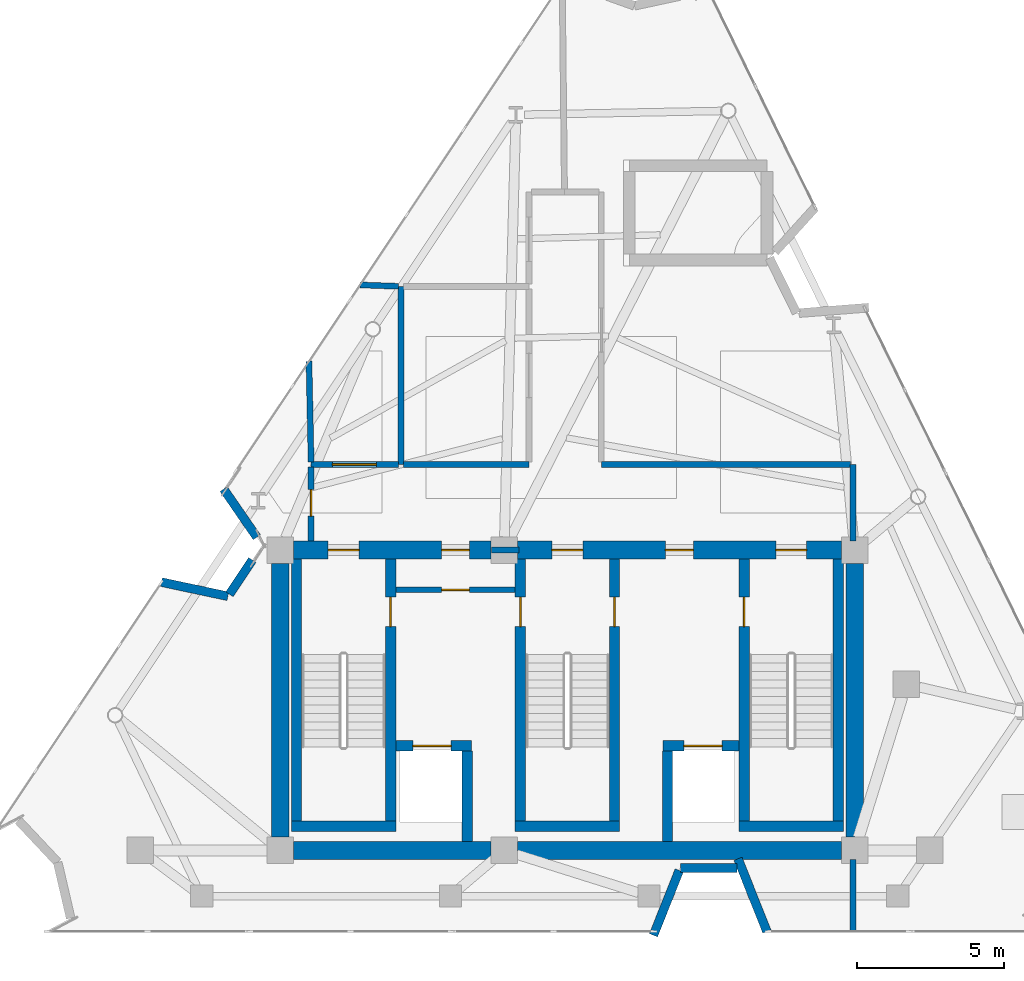
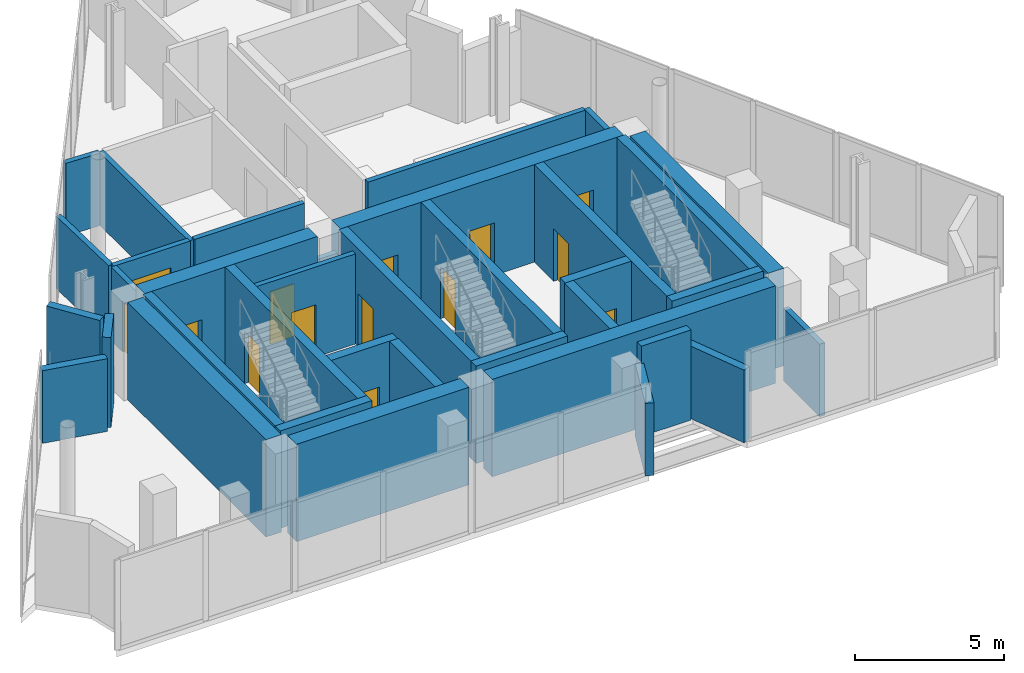
# One storey, part 6 of 9: 36 walls, 14 doors, 14 openings.
"""IFC4 building model written with IfcOpenShell, lengths in metres."""

import ifcopenshell
import ifcopenshell.guid

model = None  # the IFC model being written
_history = None  # IfcOwnerHistory: only IFC2X3 demands one
_inside = {}  # id of a spatial element -> (the spatial element, [elements in it])
_under = {}  # id of a project, library or spatial element -> (it, [spatial elements below it])
_declared = {}  # id of a project -> (the project, [libraries it declares])
_typed = {}  # id of a type object -> (the type object, [elements of that type])
_made_of = {}  # id of a material, layer set ... -> (it, [elements and type objects made of it])


def new_model(schema):
    """Start an empty IFC model of exactly this schema.

    Asked for "IFC4X3", IfcOpenShell would pick the latest addendum, in which some entities
    have other attributes; the version numbers below select the first issue.
    IFC2X3 requires an IfcOwnerHistory on every rooted entity: one is made here for all.
    """
    global model, _history
    if schema == "IFC4X3":
        model = ifcopenshell.file(schema_version=(4, 3, 0, 0))
    else:
        model = ifcopenshell.file(schema=schema)
    _inside.clear()
    _under.clear()
    _declared.clear()
    _typed.clear()
    _made_of.clear()
    _history = None
    if model.schema == "IFC2X3":
        org = make("IfcOrganization", Name="unknown")
        user = make(
            "IfcPersonAndOrganization",
            ThePerson=make("IfcPerson", FamilyName="unknown"),
            TheOrganization=org,
        )
        app = make(
            "IfcApplication",
            ApplicationDeveloper=org,
            Version="unknown",
            ApplicationFullName="unknown",
            ApplicationIdentifier="unknown",
        )
        _history = make(
            "IfcOwnerHistory",
            OwningUser=user,
            OwningApplication=app,
            ChangeAction="ADDED",
            CreationDate=0,
        )
    return model


def make(cls, **values):
    """One entity of the class cls with the attributes given. An attribute that is None is left unset."""
    return model.create_entity(
        cls, **{name: value for name, value in values.items() if value is not None}
    )


def rooted(cls, **values):
    """An entity with a GlobalId (a new one), such as an element, a storey or a relation."""
    return make(cls, GlobalId=ifcopenshell.guid.new(), OwnerHistory=_history, **values)


def si_unit(unit_type, name, prefix=None):
    """IfcSIUnit, for example si_unit("LENGTHUNIT", "METRE", prefix="MILLI")."""
    return make("IfcSIUnit", UnitType=unit_type, Prefix=prefix, Name=name)


def assignment(units):
    """IfcUnitAssignment: the units of a project."""
    return None if units is None else make("IfcUnitAssignment", Units=units)


def point(xyz):
    """IfcCartesianPoint."""
    return None if xyz is None else make("IfcCartesianPoint", Coordinates=xyz)


def direction(xyz):
    """IfcDirection."""
    return None if xyz is None else make("IfcDirection", DirectionRatios=xyz)


def frame(location, z_axis=None, x_axis=None):
    """IfcAxis2Placement3D, a coordinate frame: its origin and axes. An axis left out is left unset."""
    return make(
        "IfcAxis2Placement3D",
        Location=point(location),
        Axis=direction(z_axis),
        RefDirection=direction(x_axis),
    )


def frame_2d(location, x_axis=None):
    """IfcAxis2Placement2D, a coordinate frame in the plane: its origin and x axis."""
    return make(
        "IfcAxis2Placement2D", Location=point(location), RefDirection=direction(x_axis)
    )


def origin():
    """The frame at (0, 0, 0) with its axes left unset."""
    return frame((0.0, 0.0, 0.0))


def place(relative_to, where):
    """IfcLocalPlacement: puts the frame where relative to a parent placement (None: the world)."""
    return make(
        "IfcLocalPlacement", PlacementRelTo=relative_to, RelativePlacement=where
    )


def context(
    kind, dimensions, precision=None, world=None, true_north=None, identifier=None
):
    """IfcGeometricRepresentationContext, for example the 3D "Model" context."""
    return make(
        "IfcGeometricRepresentationContext",
        ContextIdentifier=identifier,
        ContextType=kind,
        CoordinateSpaceDimension=dimensions,
        Precision=precision,
        WorldCoordinateSystem=world,
        TrueNorth=true_north,
    )


def subcontext(parent, identifier, kind, view, scale=None):
    """IfcGeometricRepresentationSubContext, for example "Body" below "Model"."""
    return make(
        "IfcGeometricRepresentationSubContext",
        ContextIdentifier=identifier,
        ContextType=kind,
        ParentContext=parent,
        TargetScale=scale,
        TargetView=view,
    )


def project(units=None, contexts=None):
    """IfcProject with its units and contexts."""
    return rooted(
        "IfcProject",
        Name="project",
        RepresentationContexts=contexts,
        UnitsInContext=assignment(units),
    )


def spatial(cls, under=None, at=None, **own):
    """A site, building, storey or space (cls), placed at a placement, below another one or the project."""
    s = rooted(cls, ObjectPlacement=at, **own)
    if under is not None:
        _under.setdefault(under.id(), (under, []))[1].append(s)
    return s


def profile(cls, at=None, kind="AREA", **sizes):
    """A parametric profile (cls). Its sizes go by their IFC names, for example OverallWidth=200.0."""
    return make(cls, ProfileType=kind, Position=at, **sizes)


def rectangle(**sizes):
    """IfcRectangleProfileDef."""
    return profile("IfcRectangleProfileDef", **sizes)


def extrude(swept, where, along, depth):
    """IfcExtrudedAreaSolid: the profile swept, set in the frame where, extruded along a direction by depth."""
    return make(
        "IfcExtrudedAreaSolid",
        SweptArea=swept,
        Position=where,
        ExtrudedDirection=direction(along),
        Depth=depth,
    )


def shape(context_of_items, identifier, shape_type, items):
    """IfcShapeRepresentation: the items that make up one representation, for example the "Body"."""
    return make(
        "IfcShapeRepresentation",
        ContextOfItems=context_of_items,
        RepresentationIdentifier=identifier,
        RepresentationType=shape_type,
        Items=items,
    )


def material(Name=None, Category=None):
    """IfcMaterial."""
    return make("IfcMaterial", Name=Name, Category=Category)


def layer(
    of_material, thickness, ventilated=None, Name=None, Category=None, Priority=None
):
    """IfcMaterialLayer: one layer of a wall or slab, of a material (None: an air gap)."""
    return make(
        "IfcMaterialLayer",
        Material=of_material,
        LayerThickness=thickness,
        IsVentilated=ventilated,
        Name=Name,
        Category=Category,
        Priority=Priority,
    )


def layer_set(layers, Name=None):
    """IfcMaterialLayerSet."""
    return make("IfcMaterialLayerSet", MaterialLayers=layers, LayerSetName=Name)


def made_of(thing, what):
    """Note that an element or type object is made of a material, layer set ...; save() writes the relation."""
    if what is not None:
        _made_of.setdefault(what.id(), (what, []))[1].append(thing)
    return thing


def type_object(cls, material=None, **own):
    """A type object (cls), such as IfcWallType, which elements share."""
    return made_of(rooted(cls, **own), material)


def element(
    cls,
    number,
    at=None,
    inside=None,
    cuts=None,
    type_object=None,
    material=None,
    context=None,
    identifier="Body",
    shape_type=None,
    held_by="IfcProductDefinitionShape",
    body=None,
    shapes=None,
    **own,
):
    """One element of the class cls, such as IfcWall. Its Tag is "e" and its number.

    at: its placement. inside: the storey or other place that contains it. cuts: it is an
    opening in that element (IfcRelVoidsElement). A single representation is given by context,
    identifier, shape_type and body (its items); several are given by shapes. held_by: the class
    of the entity that holds the representations. save() writes the other relations.
    """
    e = rooted(cls, Tag="e%d" % number, ObjectPlacement=at, **own)
    if body is not None:
        shapes = [shape(context, identifier, shape_type, body)]
    if shapes is not None:
        e.Representation = make(held_by, Representations=shapes)
    if inside is not None:
        _inside.setdefault(inside.id(), (inside, []))[1].append(e)
    if cuts is not None:
        rooted(
            "IfcRelVoidsElement", RelatingBuildingElement=cuts, RelatedOpeningElement=e
        )
    if type_object is not None:
        _typed.setdefault(type_object.id(), (type_object, []))[1].append(e)
    return made_of(e, material)


def fill(opening, filler):
    """IfcRelFillsElement: the door or window that sits in an opening."""
    return rooted(
        "IfcRelFillsElement",
        RelatingOpeningElement=opening,
        RelatedBuildingElement=filler,
    )


def aggregate(whole, parts):
    """IfcRelAggregates: a whole, such as a stair, and the parts it consists of."""
    return rooted("IfcRelAggregates", RelatingObject=whole, RelatedObjects=parts)


def save(model, path):
    """Write the relations noted so far, then the file.

    IfcRelAggregates (storeys below a building ...), IfcRelContainedInSpatialStructure (elements
    in a storey), IfcRelDefinesByType, IfcRelAssociatesMaterial and IfcRelDeclares: one each for
    every whole, place, type object, material and project.
    """
    for whole, parts in _under.values():
        aggregate(whole, parts)
    for where, things in _inside.values():
        rooted(
            "IfcRelContainedInSpatialStructure",
            RelatedElements=things,
            RelatingStructure=where,
        )
    for kind, things in _typed.values():
        rooted("IfcRelDefinesByType", RelatedObjects=things, RelatingType=kind)
    for what, things in _made_of.values():
        rooted("IfcRelAssociatesMaterial", RelatedObjects=things, RelatingMaterial=what)
    for by, libraries in _declared.values():
        rooted("IfcRelDeclares", RelatingContext=by, RelatedDefinitions=libraries)
    model.write(path)


model = new_model("IFC4")

# Units and contexts
model_context = context("Model", 3, precision=1e-05, world=origin(), true_north=direction((0.0, 1.0)))
body_context = subcontext(model_context, "Body", "Model", "MODEL_VIEW")
ifc_project = project(units=[si_unit("LENGTHUNIT", "METRE"), si_unit("AREAUNIT", "SQUARE_METRE"), si_unit("VOLUMEUNIT", "CUBIC_METRE"), si_unit("PLANEANGLEUNIT", "RADIAN"), si_unit("MASSUNIT", "GRAM", prefix="KILO")], contexts=[model_context])

# Site, building, storey
site_placement = place(None, origin())
site = spatial("IfcSite", under=ifc_project, at=site_placement, CompositionType="ELEMENT")
building_placement = place(site_placement, origin())
building = spatial("IfcBuilding", under=site, at=building_placement, Name="Almagre Mirador Tower", CompositionType="ELEMENT")
storey_placement = place(building_placement, frame((0.0, 0.0, 306.5)))
storey = spatial("IfcBuildingStorey", under=building, at=storey_placement, Name="L79", CompositionType="ELEMENT", Elevation=306.5)

# Walls
ifc_material_1 = material(Name="Precast concrete C50/60", Category="concrete")
ifc_layer_1 = layer(ifc_material_1, 0.300048828125)
ifc_layer_set_1 = layer_set([ifc_layer_1], Name="Precast concrete C50/60")
wall_type_1 = type_object("IfcWallType", Name="WAL-EXT-300", PredefinedType="SOLIDWALL", material=ifc_layer_set_1)
wall_1_placement = place(storey_placement, frame((23.518310546875, 13.659912109375, 0.0), z_axis=(0.0, 0.0, 1.0), x_axis=(0.978066490773, -0.208292917849, 0.0)))
element("IfcWall", 1, at=wall_1_placement, inside=storey, type_object=wall_type_1, Name="L79 expressed almagre precast frame wall 01", PredefinedType="SOLIDWALL", context=body_context, shape_type="SweptSolid", body=[
    extrude(rectangle(XDim=2.306640625, YDim=0.300048828125, at=frame_2d((1.1533203125, 0.0))), origin(), (0.0, 0.0, 1.0), 2.98193359375),
])
wall_2_placement = place(storey_placement, frame((25.826416015625, 13.24609375, 0.0), z_axis=(0.0, 0.0, 1.0), x_axis=(0.55510321717, 0.831781472676, 0.0)))
element("IfcWall", 2, at=wall_2_placement, inside=storey, type_object=wall_type_1, Name="L79 expressed almagre precast frame wall 02", PredefinedType="SOLIDWALL", context=body_context, shape_type="SweptSolid", body=[
    extrude(rectangle(XDim=1.397705078125, YDim=0.300048828125, at=frame_2d((0.69873046875, 0.0))), origin(), (0.0, 0.0, 1.0), 3.699951171875),
])
wall_3_placement = place(storey_placement, frame((26.7548828125, 15.185791015625, 0.0), z_axis=(0.0, 0.0, 1.0), x_axis=(-0.567431230368, 0.82342079085, 0.0)))
element("IfcWall", 3, at=wall_3_placement, inside=storey, type_object=wall_type_1, Name="L79 expressed almagre precast frame wall 03", PredefinedType="SOLIDWALL", context=body_context, shape_type="SweptSolid", body=[
    extrude(rectangle(XDim=1.985595703125, YDim=0.300048828125, at=frame_2d((0.99267578125, 0.0))), origin(), (0.0, 0.0, 1.0), 2.98193359375),
])
wall_4_placement = place(storey_placement, frame((44.072021484375, 1.80029296875, 0.0), z_axis=(0.0, 0.0, 1.0), x_axis=(-0.369598296784, 0.9291916374, 0.0)))
element("IfcWall", 4, at=wall_4_placement, inside=storey, type_object=wall_type_1, Name="L79 expressed almagre precast frame wall 11", PredefinedType="SOLIDWALL", context=body_context, shape_type="SweptSolid", body=[
    extrude(rectangle(XDim=2.65478515625, YDim=0.300048828125, at=frame_2d((1.327392578125, 0.0))), origin(), (0.0, 0.0, 1.0), 2.98193359375),
])
wall_5_placement = place(storey_placement, frame((43.05517578125, 3.949951171875, 0.0), z_axis=(0.0, 0.0, 1.0), x_axis=(-1.0, 0.0, 0.0)))
element("IfcWall", 5, at=wall_5_placement, inside=storey, type_object=wall_type_1, Name="L79 expressed almagre precast frame wall 12", PredefinedType="SOLIDWALL", context=body_context, shape_type="SweptSolid", body=[
    extrude(rectangle(XDim=1.92138671875, YDim=0.300048828125, at=frame_2d((0.960693359375, 0.0))), origin(), (0.0, 0.0, 1.0), 3.699951171875),
])
wall_6_placement = place(storey_placement, frame((41.09619140625, 3.872314453125, 0.0), z_axis=(0.0, 0.0, 1.0), x_axis=(-0.369524949217, -0.929220809015, 0.0)))
element("IfcWall", 6, at=wall_6_placement, inside=storey, type_object=wall_type_1, Name="L79 expressed almagre precast frame wall 13", PredefinedType="SOLIDWALL", context=body_context, shape_type="SweptSolid", body=[
    extrude(rectangle(XDim=2.369873046875, YDim=0.300048828125, at=frame_2d((1.18505859375, 0.0))), origin(), (0.0, 0.0, 1.0), 2.98193359375),
])
ifc_material_2 = material(Name="Gypsum acoustic stud partition", Category="other")
ifc_layer_2 = layer(ifc_material_2, 0.199951171875)
ifc_layer_set_2 = layer_set([ifc_layer_2], Name="Gypsum acoustic stud partition")
wall_type_2 = type_object("IfcWallType", Name="WAL-PRT-200-EI60", PredefinedType="PARTITIONING", material=ifc_layer_set_2)
wall_7_placement = place(storey_placement, frame((34.719970703125, 14.75, 0.0), z_axis=(0.0, 0.0, 1.0), x_axis=(1.0, 0.0, 0.0)))
element("IfcWall", 7, at=wall_7_placement, inside=storey, type_object=wall_type_2, Name="L79 core north closure wall", PredefinedType="PARTITIONING", context=body_context, shape_type="SweptSolid", body=[
    extrude(rectangle(XDim=0.93505859375, YDim=0.199951171875, at=frame_2d((0.467529296875, 0.0))), origin(), (0.0, 0.0, 1.0), 2.885009765625),
])

# Wall, opening, door
wall_8_placement = place(storey_placement, frame((31.47998046875, 13.39990234375, 0.0), z_axis=(0.0, 0.0, 1.0), x_axis=(1.0, 0.0, 0.0)))
wall_8 = element("IfcWall", 8, at=wall_8_placement, inside=storey, type_object=wall_type_2, Name="L79 FFL-1 north enclosure wall", PredefinedType="PARTITIONING", context=body_context, shape_type="SweptSolid", body=[
    extrude(rectangle(XDim=4.0400390625, YDim=0.199951171875, at=frame_2d((2.02001953125, 0.0))), origin(), (0.0, 0.0, 1.0), 3.699951171875),
])
opening_1_placement = place(wall_8_placement, frame((1.544921875, 0.0, 0.0)))
opening_1 = element("IfcOpeningElement", 9, at=opening_1_placement, cuts=wall_8, Name="Opening ID-02", PredefinedType="OPENING", context=body_context, shape_type="SweptSolid", body=[
    extrude(rectangle(XDim=0.949951171875, YDim=2.14990234375, at=frame_2d((0.47509765625, 1.074951171875))), frame((0.0, 0.110098, 0.0), z_axis=(0.0, -1.0, 0.0), x_axis=(1.0, 0.0, 0.0)), (0.0, 0.0, 1.0), 0.219951),
])
ifc_material_3 = material(Name="Fire-rated walnut timber", Category="wood")
door_type_1 = type_object("IfcDoorType", Name="DOR-FD60-950X2150", OperationType="NOTDEFINED", PredefinedType="DOOR", material=ifc_material_3)
door_1_placement = place(opening_1_placement, origin())
door_1 = element("IfcDoor", 10, at=door_1_placement, inside=storey, type_object=door_type_1, Name="DR-2318 L79 FFL-1 north smoke door", OperationType="SINGLE_SWING_LEFT", OverallHeight=2.14990234375, OverallWidth=0.949951171875, PredefinedType="DOOR", context=body_context, shape_type="SweptSolid", body=[
    extrude(rectangle(XDim=0.949951171875, YDim=2.14990234375, at=frame_2d((0.47509765625, 1.074951171875))), frame((0.0, 0.02490234375, 0.0), z_axis=(0.0, -1.0, 0.0), x_axis=(1.0, 0.0, 0.0)), (0.0, 0.0, 1.0), 0.050048828125),
])
fill(opening_1, door_1)

# Walls
wall_9_placement = place(storey_placement, frame((31.64990234375, 17.64990234375, 0.0), z_axis=(0.0, 0.0, 1.0), x_axis=(0.0, 1.0, 0.0)))
element("IfcWall", 11, at=wall_9_placement, inside=storey, type_object=wall_type_2, Name="L79 interior partition 001", PredefinedType="PARTITIONING", context=body_context, shape_type="SweptSolid", body=[
    extrude(rectangle(XDim=6.050048828125, YDim=0.199951171875, at=frame_2d((3.02490234375, 0.0))), origin(), (0.0, 0.0, 1.0), 2.97705078125),
])
wall_10_placement = place(storey_placement, frame((31.565185546875, 23.703125, 0.0), z_axis=(0.0, 0.0, 1.0), x_axis=(-0.999334821277, 0.036467999436, 0.0)))
element("IfcWall", 12, at=wall_10_placement, inside=storey, type_object=wall_type_2, Name="L79 interior partition 002", PredefinedType="PARTITIONING", context=body_context, shape_type="SweptSolid", body=[
    extrude(rectangle(XDim=1.312255859375, YDim=0.199951171875, at=frame_2d((0.65625, 0.0))), origin(), (0.0, 0.0, 1.0), 2.97705078125),
])

# Wall, opening, door
wall_11_placement = place(storey_placement, frame((28.60009765625, 17.64990234375, 0.0), z_axis=(0.0, 0.0, 1.0), x_axis=(1.0, 0.0, 0.0)))
wall_11 = element("IfcWall", 13, at=wall_11_placement, inside=storey, type_object=wall_type_2, Name="L79 interior partition 003", PredefinedType="PARTITIONING", context=body_context, shape_type="SweptSolid", body=[
    extrude(rectangle(XDim=2.96484375, YDim=0.199951171875, at=frame_2d((1.482421875, 0.0))), origin(), (0.0, 0.0, 1.0), 3.034912109375),
])
opening_2_placement = place(wall_11_placement, frame((0.71728515625, 0.0, 0.0)))
opening_2 = element("IfcOpeningElement", 14, at=opening_2_placement, cuts=wall_11, Name="Opening ID-04", PredefinedType="OPENING", context=body_context, shape_type="SweptSolid", body=[
    extrude(rectangle(XDim=1.5, YDim=2.199951171875, at=frame_2d((0.75, 1.10009765625))), frame((0.0, 0.110098, 0.0), z_axis=(0.0, -1.0, 0.0), x_axis=(1.0, 0.0, 0.0)), (0.0, 0.0, 1.0), 0.219951),
])
ifc_material_4 = material(Name="Fire-rated hollow steel", Category="steel")
door_type_2 = type_object("IfcDoorType", Name="DOR-FD60-1500X2200", OperationType="DOUBLE_DOOR_SINGLE_SWING", PredefinedType="DOOR", material=ifc_material_4)
door_2_placement = place(opening_2_placement, origin())
door_2 = element("IfcDoor", 15, at=door_2_placement, inside=storey, type_object=door_type_2, Name="DR-2323 L79 interior door L79-KPLT1 to L79-KCOR", OperationType="DOUBLE_DOOR_SINGLE_SWING", OverallHeight=2.199951171875, OverallWidth=1.5, PredefinedType="DOOR", context=body_context, shape_type="SweptSolid", body=[
    extrude(rectangle(XDim=1.5, YDim=2.199951171875, at=frame_2d((0.75, 1.10009765625))), frame((0.0, 0.02490234375, 0.0), z_axis=(0.0, -1.0, 0.0), x_axis=(1.0, 0.0, 0.0)), (0.0, 0.0, 1.0), 0.050048828125),
])
fill(opening_2, door_2)

# Walls
wall_12_placement = place(storey_placement, frame((28.52490234375, 21.159912109375, 0.0), z_axis=(0.0, 0.0, 1.0), x_axis=(0.021380911082, -0.999771402192, 0.0)))
element("IfcWall", 16, at=wall_12_placement, inside=storey, type_object=wall_type_2, Name="L79 interior partition 004", PredefinedType="PARTITIONING", context=body_context, shape_type="SweptSolid", body=[
    extrude(rectangle(XDim=3.425537109375, YDim=0.199951171875, at=frame_2d((1.712890625, 0.0))), origin(), (0.0, 0.0, 1.0), 2.97705078125),
])
wall_13_placement = place(storey_placement, frame((31.735107421875, 17.64990234375, 0.0), z_axis=(0.0, 0.0, 1.0), x_axis=(1.0, 0.0, 0.0)))
element("IfcWall", 17, at=wall_13_placement, inside=storey, type_object=wall_type_2, Name="L79 interior partition 006", PredefinedType="PARTITIONING", context=body_context, shape_type="SweptSolid", body=[
    extrude(rectangle(XDim=4.264892578125, YDim=0.199951171875, at=frame_2d((2.13232421875, 0.0))), origin(), (0.0, 0.0, 1.0), 3.034912109375),
])
wall_14_placement = place(storey_placement, frame((47.0, 1.800048828125, 0.0), z_axis=(0.0, 0.0, 1.0), x_axis=(0.0, 1.0, 0.0)))
element("IfcWall", 18, at=wall_14_placement, inside=storey, type_object=wall_type_2, Name="L79 interior partition 012", PredefinedType="PARTITIONING", context=body_context, shape_type="SweptSolid", body=[
    extrude(rectangle(XDim=2.449951171875, YDim=0.199951171875, at=frame_2d((1.22509765625, 0.0))), origin(), (0.0, 0.0, 1.0), 2.97705078125),
])

# Wall, opening, door
wall_15_placement = place(storey_placement, frame((28.60009765625, 17.56494140625, 0.0), z_axis=(0.0, 0.0, 1.0), x_axis=(0.0, -1.0, 0.0)))
wall_15 = element("IfcWall", 19, at=wall_15_placement, inside=storey, type_object=wall_type_2, Name="L79 interior partition 013", PredefinedType="PARTITIONING", context=body_context, shape_type="SweptSolid", body=[
    extrude(rectangle(XDim=2.514892578125, YDim=0.199951171875, at=frame_2d((1.25732421875, 0.0))), origin(), (0.0, 0.0, 1.0), 3.034912109375),
])
opening_3_placement = place(wall_15_placement, frame((0.764892578125, 0.0, 0.0)))
opening_3 = element("IfcOpeningElement", 20, at=opening_3_placement, cuts=wall_15, Name="Opening ID-03", PredefinedType="OPENING", context=body_context, shape_type="SweptSolid", body=[
    extrude(rectangle(XDim=0.89990234375, YDim=2.10009765625, at=frame_2d((0.449951171875, 1.050048828125))), frame((0.0, 0.110098, 0.0), z_axis=(0.0, -1.0, 0.0), x_axis=(1.0, 0.0, 0.0)), (0.0, 0.0, 1.0), 0.219951),
])
ifc_material_5 = material(Name="Fire-rated hollow steel", Category="steel")
door_type_3 = type_object("IfcDoorType", Name="DOR-FD60-900X2100", OperationType="NOTDEFINED", PredefinedType="DOOR", material=ifc_material_5)
door_3_placement = place(opening_3_placement, origin())
door_3 = element("IfcDoor", 21, at=door_3_placement, inside=storey, type_object=door_type_3, Name="DR-2325 L79 interior door L79-KCOR to L79-KPLT4", OperationType="SINGLE_SWING_RIGHT", OverallHeight=2.10009765625, OverallWidth=0.89990234375, PredefinedType="DOOR", context=body_context, shape_type="SweptSolid", body=[
    extrude(rectangle(XDim=0.89990234375, YDim=2.10009765625, at=frame_2d((0.449951171875, 1.050048828125))), frame((0.0, 0.02490234375, 0.0), z_axis=(0.0, -1.0, 0.0), x_axis=(1.0, 0.0, 0.0)), (0.0, 0.0, 1.0), 0.050048828125),
])
fill(opening_3, door_3)

# Walls
wall_16_placement = place(storey_placement, frame((47.0, 15.050048828125, 0.0), z_axis=(0.0, 0.0, 1.0), x_axis=(0.0, 1.0, 0.0)))
element("IfcWall", 22, at=wall_16_placement, inside=storey, type_object=wall_type_2, Name="L79 interior partition 014", PredefinedType="PARTITIONING", context=body_context, shape_type="SweptSolid", body=[
    extrude(rectangle(XDim=2.599853515625, YDim=0.199951171875, at=frame_2d((1.2998046875, 0.0))), origin(), (0.0, 0.0, 1.0), 3.034912109375),
])
wall_17_placement = place(storey_placement, frame((46.9150390625, 17.64990234375, 0.0), z_axis=(0.0, 0.0, 1.0), x_axis=(-1.0, 0.0, 0.0)))
element("IfcWall", 23, at=wall_17_placement, inside=storey, type_object=wall_type_2, Name="L79 interior partition 015", PredefinedType="PARTITIONING", context=body_context, shape_type="SweptSolid", body=[
    extrude(rectangle(XDim=8.465087890625, YDim=0.199951171875, at=frame_2d((4.232421875, 0.0))), origin(), (0.0, 0.0, 1.0), 3.034912109375),
])
ifc_material_6 = material(Name="Concrete C60/75", Category="concrete")
ifc_layer_3 = layer(ifc_material_6, 0.35009765625)
ifc_layer_set_3 = layer_set([ifc_layer_3], Name="Concrete C60/75")
wall_type_3 = type_object("IfcWallType", Name="WAL-SHF-350", PredefinedType="SOLIDWALL", material=ifc_layer_set_3)
wall_18_placement = place(storey_placement, frame((28.10009765625, 5.199951171875, 0.0), z_axis=(0.0, 0.0, 1.0), x_axis=(0.0, 1.0, 0.0)))
element("IfcWall", 24, at=wall_18_placement, inside=storey, type_object=wall_type_3, Name="L79 shaft wall ST1-W", PredefinedType="SOLIDWALL", context=body_context, shape_type="SweptSolid", body=[
    extrude(rectangle(XDim=9.25, YDim=0.35009765625, at=frame_2d((4.625, 0.0))), origin(), (0.0, 0.0, 1.0), 4.0),
])

# Wall, opening, door
wall_19_placement = place(storey_placement, frame((31.300048828125, 5.199951171875, 0.0), z_axis=(0.0, 0.0, 1.0), x_axis=(0.0, 1.0, 0.0)))
wall_19 = element("IfcWall", 25, at=wall_19_placement, inside=storey, type_object=wall_type_3, Name="L79 shaft wall ST1-E", PredefinedType="SOLIDWALL", context=body_context, shape_type="SweptSolid", body=[
    extrude(rectangle(XDim=9.25, YDim=0.35009765625, at=frame_2d((4.625, 0.0))), origin(), (0.0, 0.0, 1.0), 4.0),
])
opening_4_placement = place(wall_19_placement, frame((6.949951171875, 0.0, 0.0)))
opening_4 = element("IfcOpeningElement", 26, at=opening_4_placement, cuts=wall_19, Name="Opening FD-01", PredefinedType="OPENING", context=body_context, shape_type="SweptSolid", body=[
    extrude(rectangle(XDim=1.0, YDim=2.14990234375, at=frame_2d((0.5, 1.074951171875))), frame((0.0, 0.185049, 0.0), z_axis=(0.0, -1.0, 0.0), x_axis=(1.0, 0.0, 0.0)), (0.0, 0.0, 1.0), 0.370098),
])
ifc_material_7 = material(Name="Fire-rated hollow steel", Category="steel")
door_type_4 = type_object("IfcDoorType", Name="DOR-FFL-1000X2150", OperationType="NOTDEFINED", PredefinedType="DOOR", material=ifc_material_7)
door_4_placement = place(opening_4_placement, origin())
door_4 = element("IfcDoor", 27, at=door_4_placement, inside=storey, type_object=door_type_4, Name="DR-2319 L79 FFL1-ST1 smokeproof door", OperationType="SINGLE_SWING_LEFT", OverallHeight=2.14990234375, OverallWidth=1.0, PredefinedType="DOOR", context=body_context, shape_type="SweptSolid", body=[
    extrude(rectangle(XDim=1.0, YDim=2.14990234375, at=frame_2d((0.5, 1.074951171875))), frame((0.0, 0.02490234375, 0.0), z_axis=(0.0, -1.0, 0.0), x_axis=(1.0, 0.0, 0.0)), (0.0, 0.0, 1.0), 0.050048828125),
])
fill(opening_4, door_4)

# Wall
wall_20_placement = place(storey_placement, frame((27.925048828125, 5.375, 0.0), z_axis=(0.0, 0.0, 1.0), x_axis=(1.0, 0.0, 0.0)))
element("IfcWall", 28, at=wall_20_placement, inside=storey, type_object=wall_type_3, Name="L79 shaft wall ST1-S", PredefinedType="SOLIDWALL", context=body_context, shape_type="SweptSolid", body=[
    extrude(rectangle(XDim=3.550048828125, YDim=0.35009765625, at=frame_2d((1.77490234375, 0.0))), origin(), (0.0, 0.0, 1.0), 4.0),
])

# Wall, opening, door
wall_21_placement = place(storey_placement, frame((35.699951171875, 5.199951171875, 0.0), z_axis=(0.0, 0.0, 1.0), x_axis=(0.0, 1.0, 0.0)))
wall_21 = element("IfcWall", 29, at=wall_21_placement, inside=storey, type_object=wall_type_3, Name="L79 shaft wall ST2-W", PredefinedType="SOLIDWALL", context=body_context, shape_type="SweptSolid", body=[
    extrude(rectangle(XDim=9.25, YDim=0.35009765625, at=frame_2d((4.625, 0.0))), origin(), (0.0, 0.0, 1.0), 4.0),
])
opening_5_placement = place(wall_21_placement, frame((6.949951171875, 0.0, 0.0)))
opening_5 = element("IfcOpeningElement", 30, at=opening_5_placement, cuts=wall_21, Name="Opening FD-01", PredefinedType="OPENING", context=body_context, shape_type="SweptSolid", body=[
    extrude(rectangle(XDim=1.0, YDim=2.14990234375, at=frame_2d((0.5, 1.074951171875))), frame((0.0, 0.185049, 0.0), z_axis=(0.0, -1.0, 0.0), x_axis=(1.0, 0.0, 0.0)), (0.0, 0.0, 1.0), 0.370098),
])
door_5_placement = place(opening_5_placement, origin())
door_5 = element("IfcDoor", 31, at=door_5_placement, inside=storey, type_object=door_type_4, Name="DR-2320 L79 FFL1-ST2 smokeproof door", OperationType="SINGLE_SWING_RIGHT", OverallHeight=2.14990234375, OverallWidth=1.0, PredefinedType="DOOR", context=body_context, shape_type="SweptSolid", body=[
    extrude(rectangle(XDim=1.0, YDim=2.14990234375, at=frame_2d((0.5, 1.074951171875))), frame((0.0, 0.02490234375, 0.0), z_axis=(0.0, -1.0, 0.0), x_axis=(1.0, 0.0, 0.0)), (0.0, 0.0, 1.0), 0.050048828125),
])
fill(opening_5, door_5)

wall_22_placement = place(storey_placement, frame((38.89990234375, 5.199951171875, 0.0), z_axis=(0.0, 0.0, 1.0), x_axis=(0.0, 1.0, 0.0)))
wall_22 = element("IfcWall", 32, at=wall_22_placement, inside=storey, type_object=wall_type_3, Name="L79 shaft wall ST2-E", PredefinedType="SOLIDWALL", context=body_context, shape_type="SweptSolid", body=[
    extrude(rectangle(XDim=9.25, YDim=0.35009765625, at=frame_2d((4.625, 0.0))), origin(), (0.0, 0.0, 1.0), 4.0),
])
opening_6_placement = place(wall_22_placement, frame((6.949951171875, 0.0, 0.0)))
opening_6 = element("IfcOpeningElement", 33, at=opening_6_placement, cuts=wall_22, Name="Opening FD-01", PredefinedType="OPENING", context=body_context, shape_type="SweptSolid", body=[
    extrude(rectangle(XDim=1.0, YDim=2.14990234375, at=frame_2d((0.5, 1.074951171875))), frame((0.0, 0.185049, 0.0), z_axis=(0.0, -1.0, 0.0), x_axis=(1.0, 0.0, 0.0)), (0.0, 0.0, 1.0), 0.370098),
])
door_6_placement = place(opening_6_placement, origin())
door_6 = element("IfcDoor", 34, at=door_6_placement, inside=storey, type_object=door_type_4, Name="DR-2321 L79 FFL2-ST2 smokeproof door", OperationType="SINGLE_SWING_LEFT", OverallHeight=2.14990234375, OverallWidth=1.0, PredefinedType="DOOR", context=body_context, shape_type="SweptSolid", body=[
    extrude(rectangle(XDim=1.0, YDim=2.14990234375, at=frame_2d((0.5, 1.074951171875))), frame((0.0, 0.02490234375, 0.0), z_axis=(0.0, -1.0, 0.0), x_axis=(1.0, 0.0, 0.0)), (0.0, 0.0, 1.0), 0.050048828125),
])
fill(opening_6, door_6)

# Wall
wall_23_placement = place(storey_placement, frame((35.52490234375, 5.375, 0.0), z_axis=(0.0, 0.0, 1.0), x_axis=(1.0, 0.0, 0.0)))
element("IfcWall", 35, at=wall_23_placement, inside=storey, type_object=wall_type_3, Name="L79 shaft wall ST2-S", PredefinedType="SOLIDWALL", context=body_context, shape_type="SweptSolid", body=[
    extrude(rectangle(XDim=3.550048828125, YDim=0.35009765625, at=frame_2d((1.77490234375, 0.0))), origin(), (0.0, 0.0, 1.0), 4.0),
])

# Wall, opening, door
wall_24_placement = place(storey_placement, frame((43.300048828125, 5.199951171875, 0.0), z_axis=(0.0, 0.0, 1.0), x_axis=(0.0, 1.0, 0.0)))
wall_24 = element("IfcWall", 36, at=wall_24_placement, inside=storey, type_object=wall_type_3, Name="L79 shaft wall ST3-W", PredefinedType="SOLIDWALL", context=body_context, shape_type="SweptSolid", body=[
    extrude(rectangle(XDim=9.25, YDim=0.35009765625, at=frame_2d((4.625, 0.0))), origin(), (0.0, 0.0, 1.0), 4.0),
])
opening_7_placement = place(wall_24_placement, frame((6.949951171875, 0.0, 0.0)))
opening_7 = element("IfcOpeningElement", 37, at=opening_7_placement, cuts=wall_24, Name="Opening FD-01", PredefinedType="OPENING", context=body_context, shape_type="SweptSolid", body=[
    extrude(rectangle(XDim=1.0, YDim=2.14990234375, at=frame_2d((0.5, 1.074951171875))), frame((0.0, 0.185049, 0.0), z_axis=(0.0, -1.0, 0.0), x_axis=(1.0, 0.0, 0.0)), (0.0, 0.0, 1.0), 0.370098),
])
door_7_placement = place(opening_7_placement, origin())
door_7 = element("IfcDoor", 38, at=door_7_placement, inside=storey, type_object=door_type_4, Name="DR-2322 L79 FFL2-ST3 smokeproof door", OperationType="SINGLE_SWING_RIGHT", OverallHeight=2.14990234375, OverallWidth=1.0, PredefinedType="DOOR", context=body_context, shape_type="SweptSolid", body=[
    extrude(rectangle(XDim=1.0, YDim=2.14990234375, at=frame_2d((0.5, 1.074951171875))), frame((0.0, 0.02490234375, 0.0), z_axis=(0.0, -1.0, 0.0), x_axis=(1.0, 0.0, 0.0)), (0.0, 0.0, 1.0), 0.050048828125),
])
fill(opening_7, door_7)

# Walls
wall_25_placement = place(storey_placement, frame((46.5, 5.199951171875, 0.0), z_axis=(0.0, 0.0, 1.0), x_axis=(0.0, 1.0, 0.0)))
element("IfcWall", 39, at=wall_25_placement, inside=storey, type_object=wall_type_3, Name="L79 shaft wall ST3-E", PredefinedType="SOLIDWALL", context=body_context, shape_type="SweptSolid", body=[
    extrude(rectangle(XDim=9.25, YDim=0.35009765625, at=frame_2d((4.625, 0.0))), origin(), (0.0, 0.0, 1.0), 4.0),
])
wall_26_placement = place(storey_placement, frame((43.125, 5.375, 0.0), z_axis=(0.0, 0.0, 1.0), x_axis=(1.0, 0.0, 0.0)))
element("IfcWall", 40, at=wall_26_placement, inside=storey, type_object=wall_type_3, Name="L79 shaft wall ST3-S", PredefinedType="SOLIDWALL", context=body_context, shape_type="SweptSolid", body=[
    extrude(rectangle(XDim=3.550048828125, YDim=0.35009765625, at=frame_2d((1.77490234375, 0.0))), origin(), (0.0, 0.0, 1.0), 4.0),
])

# Wall, opening, door
wall_27_placement = place(storey_placement, frame((31.47509765625, 8.10009765625, 0.0), z_axis=(0.0, 0.0, 1.0), x_axis=(1.0, 0.0, 0.0)))
wall_27 = element("IfcWall", 41, at=wall_27_placement, inside=storey, type_object=wall_type_3, Name="L79 shaft wall FSAE1-N", PredefinedType="SOLIDWALL", context=body_context, shape_type="SweptSolid", body=[
    extrude(rectangle(XDim=2.574951171875, YDim=0.35009765625, at=frame_2d((1.28759765625, 0.0))), origin(), (0.0, 0.0, 1.0), 4.0),
])
opening_8_placement = place(wall_27_placement, frame((0.574951171875, 0.0, 0.0)))
opening_8 = element("IfcOpeningElement", 42, at=opening_8_placement, cuts=wall_27, Name="Opening LD-03", PredefinedType="OPENING", context=body_context, shape_type="SweptSolid", body=[
    extrude(rectangle(XDim=1.300048828125, YDim=2.25, at=frame_2d((0.64990234375, 1.125))), frame((0.0, 0.185049, 0.0), z_axis=(0.0, -1.0, 0.0), x_axis=(1.0, 0.0, 0.0)), (0.0, 0.0, 1.0), 0.370098),
])
ifc_material_8 = material(Name="Hollow stainless steel", Category="steel")
door_type_5 = type_object("IfcDoorType", Name="DOR-LD-1300X2250", OperationType="DOUBLE_DOOR_SLIDING", PredefinedType="DOOR", material=ifc_material_8)
door_8_placement = place(opening_8_placement, origin())
door_8 = element("IfcDoor", 43, at=door_8_placement, inside=storey, type_object=door_type_5, Name="DR-2328 L79 FSAE-1 lift landing door", OperationType="DOUBLE_DOOR_SLIDING", OverallHeight=2.25, OverallWidth=1.300048828125, PredefinedType="DOOR", context=body_context, shape_type="SweptSolid", body=[
    extrude(rectangle(XDim=1.300048828125, YDim=2.25, at=frame_2d((0.64990234375, 1.125))), frame((0.0, 0.02490234375, 0.0), z_axis=(0.0, -1.0, 0.0), x_axis=(1.0, 0.0, 0.0)), (0.0, 0.0, 1.0), 0.050048828125),
])
fill(opening_8, door_8)

wall_28_placement = place(storey_placement, frame((40.550048828125, 8.10009765625, 0.0), z_axis=(0.0, 0.0, 1.0), x_axis=(1.0, 0.0, 0.0)))
wall_28 = element("IfcWall", 44, at=wall_28_placement, inside=storey, type_object=wall_type_3, Name="L79 shaft wall FSAE2-N", PredefinedType="SOLIDWALL", context=body_context, shape_type="SweptSolid", body=[
    extrude(rectangle(XDim=2.574951171875, YDim=0.35009765625, at=frame_2d((1.28759765625, 0.0))), origin(), (0.0, 0.0, 1.0), 4.0),
])
opening_9_placement = place(wall_28_placement, frame((0.699951171875, 0.0, 0.0)))
opening_9 = element("IfcOpeningElement", 45, at=opening_9_placement, cuts=wall_28, Name="Opening LD-03", PredefinedType="OPENING", context=body_context, shape_type="SweptSolid", body=[
    extrude(rectangle(XDim=1.300048828125, YDim=2.25, at=frame_2d((0.64990234375, 1.125))), frame((0.0, 0.185049, 0.0), z_axis=(0.0, -1.0, 0.0), x_axis=(1.0, 0.0, 0.0)), (0.0, 0.0, 1.0), 0.370098),
])
door_9_placement = place(opening_9_placement, origin())
door_9 = element("IfcDoor", 46, at=door_9_placement, inside=storey, type_object=door_type_5, Name="DR-2329 L79 FSAE-2 lift landing door", OperationType="DOUBLE_DOOR_SLIDING", OverallHeight=2.25, OverallWidth=1.300048828125, PredefinedType="DOOR", context=body_context, shape_type="SweptSolid", body=[
    extrude(rectangle(XDim=1.300048828125, YDim=2.25, at=frame_2d((0.64990234375, 1.125))), frame((0.0, 0.02490234375, 0.0), z_axis=(0.0, -1.0, 0.0), x_axis=(1.0, 0.0, 0.0)), (0.0, 0.0, 1.0), 0.050048828125),
])
fill(opening_9, door_9)

# Walls
for number, where, z_axis, x_axis, name in (
    (47, (33.89990234375, 4.85009765625, 0.0), (0.0, 0.0, 1.0), (0.0, 1.0, 0.0), "L79 shaft wall FSAE1-E"),
    (48, (40.699951171875, 4.85009765625, 0.0), (0.0, 0.0, 1.0), (0.0, 1.0, 0.0), "L79 shaft wall FSAE2-W"),
):
    element("IfcWall", number, at=place(storey_placement, frame(where, z_axis=z_axis, x_axis=x_axis)), inside=storey, type_object=wall_type_3, Name=name, PredefinedType="SOLIDWALL", context=body_context, shape_type="SweptSolid", body=[
        extrude(rectangle(XDim=3.074951171875, YDim=0.35009765625, at=frame_2d((1.53759765625, 0.0))), origin(), (0.0, 0.0, 1.0), 4.0),
    ])
ifc_material_9 = material(Name="Concrete C60/75", Category="concrete")
ifc_layer_4 = layer(ifc_material_9, 0.60009765625)
ifc_layer_set_4 = layer_set([ifc_layer_4], Name="Concrete C60/75")
wall_type_4 = type_object("IfcWallType", Name="WAL-SHR-600", PredefinedType="SHEAR", material=ifc_layer_set_4)
wall_29_placement = place(storey_placement, frame((28.0, 4.550048828125, 0.0), z_axis=(0.0, 0.0, 1.0), x_axis=(1.0, 0.0, 0.0)))
element("IfcWall", 49, at=wall_29_placement, inside=storey, type_object=wall_type_4, Name="L79 core shear wall S1", PredefinedType="SHEAR", context=body_context, shape_type="SweptSolid", body=[
    extrude(rectangle(XDim=6.699951171875, YDim=0.60009765625, at=frame_2d((3.35009765625, 0.0))), origin(), (0.0, 0.0, 1.0), 4.0),
])
wall_30_placement = place(storey_placement, frame((35.60009765625, 4.550048828125, 0.0), z_axis=(0.0, 0.0, 1.0), x_axis=(1.0, 0.0, 0.0)))
element("IfcWall", 50, at=wall_30_placement, inside=storey, type_object=wall_type_4, Name="L79 core shear wall S2", PredefinedType="SHEAR", context=body_context, shape_type="SweptSolid", body=[
    extrude(rectangle(XDim=11.0, YDim=0.60009765625, at=frame_2d((5.5, 0.0))), origin(), (0.0, 0.0, 1.0), 4.0),
])

# Wall, openings, doors
wall_31_placement = place(storey_placement, frame((28.0, 14.75, 0.0), z_axis=(0.0, 0.0, 1.0), x_axis=(1.0, 0.0, 0.0)))
wall_31 = element("IfcWall", 51, at=wall_31_placement, inside=storey, type_object=wall_type_4, Name="L79 core shear wall N1", PredefinedType="SHEAR", context=body_context, shape_type="SweptSolid", body=[
    extrude(rectangle(XDim=6.699951171875, YDim=0.60009765625, at=frame_2d((3.35009765625, 0.0))), origin(), (0.0, 0.0, 1.0), 4.0),
])
opening_10_placement = place(wall_31_placement, frame((1.175048828125, 0.0, 0.0)))
opening_10 = element("IfcOpeningElement", 52, at=opening_10_placement, cuts=wall_31, Name="Opening SD-01", PredefinedType="OPENING", context=body_context, shape_type="SweptSolid", body=[
    extrude(rectangle(XDim=1.050048828125, YDim=2.14990234375, at=frame_2d((0.52490234375, 1.074951171875))), frame((0.0, 0.310049, 0.0), z_axis=(0.0, -1.0, 0.0), x_axis=(1.0, 0.0, 0.0)), (0.0, 0.0, 1.0), 0.620098),
])
opening_11_placement = place(wall_31_placement, frame((5.02490234375, 0.0, 0.0)))
opening_11 = element("IfcOpeningElement", 53, at=opening_11_placement, cuts=wall_31, Name="Opening FD-02", PredefinedType="OPENING", context=body_context, shape_type="SweptSolid", body=[
    extrude(rectangle(XDim=0.949951171875, YDim=2.14990234375, at=frame_2d((0.47509765625, 1.074951171875))), frame((0.0, 0.310049, 0.0), z_axis=(0.0, -1.0, 0.0), x_axis=(1.0, 0.0, 0.0)), (0.0, 0.0, 1.0), 0.620098),
])
ifc_material_10 = material(Name="Fire-rated hollow steel", Category="steel")
door_type_6 = type_object("IfcDoorType", Name="DOR-FD90-950X2150", OperationType="NOTDEFINED", PredefinedType="DOOR", material=ifc_material_10)
door_10_placement = place(opening_11_placement, origin())
door_10 = element("IfcDoor", 54, at=door_10_placement, inside=storey, type_object=door_type_6, Name="DR-2317 L79 core equipment room north door", OperationType="SINGLE_SWING_LEFT", OverallHeight=2.14990234375, OverallWidth=0.949951171875, PredefinedType="DOOR", context=body_context, shape_type="SweptSolid", body=[
    extrude(rectangle(XDim=0.949951171875, YDim=2.14990234375, at=frame_2d((0.47509765625, 1.074951171875))), frame((0.0, 0.02490234375, 0.0), z_axis=(0.0, -1.0, 0.0), x_axis=(1.0, 0.0, 0.0)), (0.0, 0.0, 1.0), 0.050048828125),
])
fill(opening_11, door_10)
ifc_material_11 = material(Name="Fire-rated hollow steel", Category="steel")
door_type_7 = type_object("IfcDoorType", Name="DOR-ST-1050X2150", OperationType="NOTDEFINED", PredefinedType="DOOR", material=ifc_material_11)
door_11_placement = place(opening_10_placement, origin())
door_11 = element("IfcDoor", 55, at=door_11_placement, inside=storey, type_object=door_type_7, Name="DR-2330 L79 protected exit stair ST-1 door", OperationType="SINGLE_SWING_RIGHT", OverallHeight=2.14990234375, OverallWidth=1.050048828125, PredefinedType="DOOR", context=body_context, shape_type="SweptSolid", body=[
    extrude(rectangle(XDim=1.050048828125, YDim=2.14990234375, at=frame_2d((0.52490234375, 1.074951171875))), frame((0.0, 0.02490234375, 0.0), z_axis=(0.0, -1.0, 0.0), x_axis=(1.0, 0.0, 0.0)), (0.0, 0.0, 1.0), 0.050048828125),
])
fill(opening_10, door_11)

wall_32_placement = place(storey_placement, frame((35.60009765625, 14.75, 0.0), z_axis=(0.0, 0.0, 1.0), x_axis=(1.0, 0.0, 0.0)))
wall_32 = element("IfcWall", 56, at=wall_32_placement, inside=storey, type_object=wall_type_4, Name="L79 core shear wall N2", PredefinedType="SHEAR", context=body_context, shape_type="SweptSolid", body=[
    extrude(rectangle(XDim=11.0, YDim=0.60009765625, at=frame_2d((5.5, 0.0))), origin(), (0.0, 0.0, 1.0), 4.0),
])
opening_12_placement = place(wall_32_placement, frame((1.175048828125, 0.0, 0.0)))
opening_12 = element("IfcOpeningElement", 57, at=opening_12_placement, cuts=wall_32, Name="Opening SD-01", PredefinedType="OPENING", context=body_context, shape_type="SweptSolid", body=[
    extrude(rectangle(XDim=1.050048828125, YDim=2.14990234375, at=frame_2d((0.52490234375, 1.074951171875))), frame((0.0, 0.310049, 0.0), z_axis=(0.0, -1.0, 0.0), x_axis=(1.0, 0.0, 0.0)), (0.0, 0.0, 1.0), 0.620098),
])
opening_13_placement = place(wall_32_placement, frame((8.77490234375, 0.0, 0.0)))
opening_13 = element("IfcOpeningElement", 58, at=opening_13_placement, cuts=wall_32, Name="Opening SD-01", PredefinedType="OPENING", context=body_context, shape_type="SweptSolid", body=[
    extrude(rectangle(XDim=1.050048828125, YDim=2.14990234375, at=frame_2d((0.52490234375, 1.074951171875))), frame((0.0, 0.310049, 0.0), z_axis=(0.0, -1.0, 0.0), x_axis=(1.0, 0.0, 0.0)), (0.0, 0.0, 1.0), 0.620098),
])
opening_14_placement = place(wall_32_placement, frame((5.02490234375, 0.0, 0.0)))
opening_14 = element("IfcOpeningElement", 59, at=opening_14_placement, cuts=wall_32, Name="Opening FD-02", PredefinedType="OPENING", context=body_context, shape_type="SweptSolid", body=[
    extrude(rectangle(XDim=0.949951171875, YDim=2.14990234375, at=frame_2d((0.47509765625, 1.074951171875))), frame((0.0, 0.310049, 0.0), z_axis=(0.0, -1.0, 0.0), x_axis=(1.0, 0.0, 0.0)), (0.0, 0.0, 1.0), 0.620098),
])
door_12_placement = place(opening_14_placement, origin())
door_12 = element("IfcDoor", 60, at=door_12_placement, inside=storey, type_object=door_type_6, Name="DR-2316 L79 high-zone core room north door", OperationType="SINGLE_SWING_LEFT", OverallHeight=2.14990234375, OverallWidth=0.949951171875, PredefinedType="DOOR", context=body_context, shape_type="SweptSolid", body=[
    extrude(rectangle(XDim=0.949951171875, YDim=2.14990234375, at=frame_2d((0.47509765625, 1.074951171875))), frame((0.0, 0.02490234375, 0.0), z_axis=(0.0, -1.0, 0.0), x_axis=(1.0, 0.0, 0.0)), (0.0, 0.0, 1.0), 0.050048828125),
])
fill(opening_14, door_12)
door_13_placement = place(opening_12_placement, origin())
door_13 = element("IfcDoor", 61, at=door_13_placement, inside=storey, type_object=door_type_7, Name="DR-2331 L79 protected exit stair ST-2 door", OperationType="SINGLE_SWING_LEFT", OverallHeight=2.14990234375, OverallWidth=1.050048828125, PredefinedType="DOOR", context=body_context, shape_type="SweptSolid", body=[
    extrude(rectangle(XDim=1.050048828125, YDim=2.14990234375, at=frame_2d((0.52490234375, 1.074951171875))), frame((0.0, 0.02490234375, 0.0), z_axis=(0.0, -1.0, 0.0), x_axis=(1.0, 0.0, 0.0)), (0.0, 0.0, 1.0), 0.050048828125),
])
fill(opening_12, door_13)
door_14_placement = place(opening_13_placement, origin())
door_14 = element("IfcDoor", 62, at=door_14_placement, inside=storey, type_object=door_type_7, Name="DR-2332 L79 protected exit stair ST-3 door", OperationType="SINGLE_SWING_RIGHT", OverallHeight=2.14990234375, OverallWidth=1.050048828125, PredefinedType="DOOR", context=body_context, shape_type="SweptSolid", body=[
    extrude(rectangle(XDim=1.050048828125, YDim=2.14990234375, at=frame_2d((0.52490234375, 1.074951171875))), frame((0.0, 0.02490234375, 0.0), z_axis=(0.0, -1.0, 0.0), x_axis=(1.0, 0.0, 0.0)), (0.0, 0.0, 1.0), 0.050048828125),
])
fill(opening_13, door_14)

# Walls
for number, where, z_axis, x_axis, name in (
    (63, (27.550048828125, 5.0, 0.0), (0.0, 0.0, 1.0), (0.0, 1.0, 0.0), "L79 core shear wall W1"),
    (64, (47.050048828125, 5.0, 0.0), (0.0, 0.0, 1.0), (0.0, 1.0, 0.0), "L79 core shear wall E1"),
):
    element("IfcWall", number, at=place(storey_placement, frame(where, z_axis=z_axis, x_axis=x_axis)), inside=storey, type_object=wall_type_4, Name=name, PredefinedType="SHEAR", context=body_context, shape_type="SweptSolid", body=[
        extrude(rectangle(XDim=9.300048828125, YDim=0.60009765625, at=frame_2d((4.64990234375, 0.0))), origin(), (0.0, 0.0, 1.0), 4.0),
    ])

save(model, "model.ifc")
